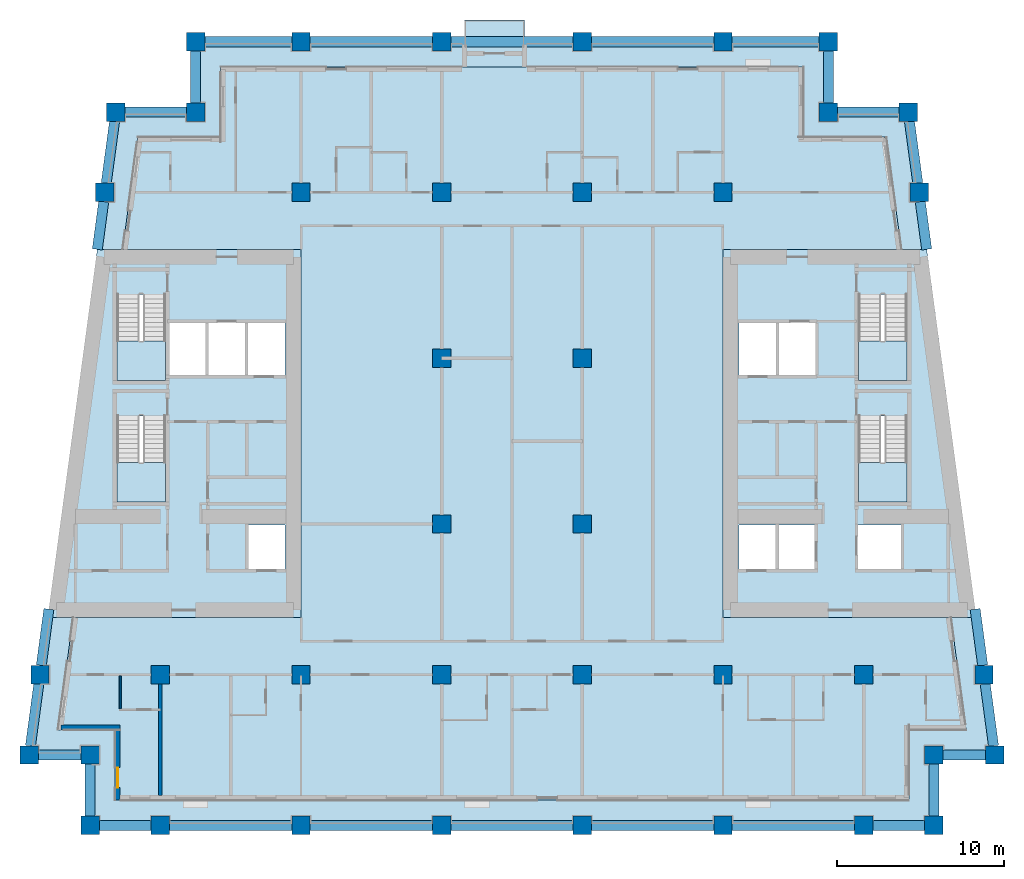
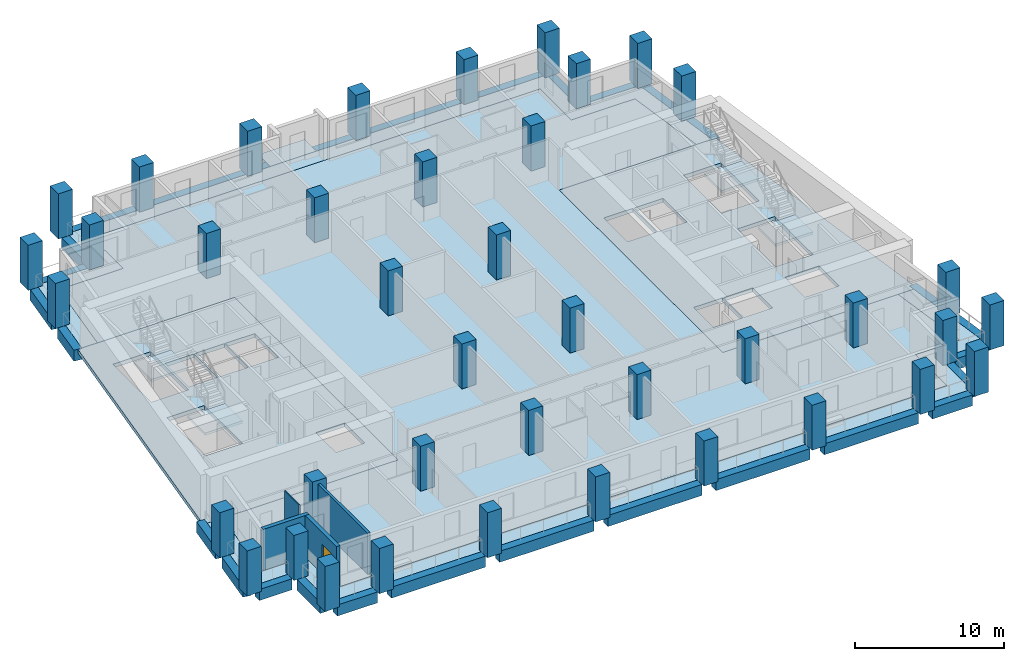
# One storey, part 1 of 12: 40 columns, 28 beams, 10 slabs, 4 walls, 1 door, 1 opening, 4 elements without a shape of their own.
"""IFC4 building model written with IfcOpenShell, lengths in metres."""

from ifc_helpers import new_model, si_unit, direction, frame, frame_2d, origin, origin_2d, place, context, subcontext, project, spatial, polyline, rectangle, outline, extrude, material, layer, layer_set, material_profile, profile_set, type_object, element, fill, aggregate, save


model = new_model("IFC4")

# Units and contexts
model_context = context("Model", 3, precision=1e-05, world=origin(), true_north=direction((0.0, 1.0)))
body_context = subcontext(model_context, "Body", "Model", "MODEL_VIEW")
ifc_project = project(units=[si_unit("LENGTHUNIT", "METRE"), si_unit("AREAUNIT", "SQUARE_METRE"), si_unit("VOLUMEUNIT", "CUBIC_METRE"), si_unit("PLANEANGLEUNIT", "RADIAN"), si_unit("MASSUNIT", "GRAM", prefix="KILO")], contexts=[model_context])

# Site, building, storey
site_placement = place(None, origin())
site = spatial("IfcSite", under=ifc_project, at=site_placement, CompositionType="ELEMENT")
building_placement = place(site_placement, origin())
building = spatial("IfcBuilding", under=site, at=building_placement, Name="Candeia Pilgrim Tower and Theatre", CompositionType="ELEMENT")
storey_placement = place(building_placement, frame((0.0, 0.0, 162.60009765625)))
storey = spatial("IfcBuildingStorey", under=building, at=storey_placement, Name="L38", CompositionType="ELEMENT", Elevation=162.60009765625)

# Columns
ifc_material_1 = material(Name="Concrete C60/75", Category="concrete")
ifc_material_profile_1 = material_profile(ifc_material_1, rectangle(XDim=1.10009765625, YDim=1.10009765625, at=origin_2d()))
ifc_profile_set_1 = profile_set([ifc_material_profile_1], Name="Concrete C60/75")
column_type = type_object("IfcColumnType", Name="RC 1100x1100 C60/75", PredefinedType="COLUMN", material=ifc_profile_set_1)
for number, where, z_axis, x_axis, name in (
    (1, (92.39990234375, 98.0, 0.0), (0.0, 0.0, 1.0), (1.0, 0.0, 0.0), "Column A1"),
    (2, (100.800048828125, 98.0, 0.0), (0.0, 0.0, 1.0), (1.0, 0.0, 0.0), "Column A2"),
    (3, (109.199951171875, 98.0, 0.0), (0.0, 0.0, 1.0), (1.0, 0.0, 0.0), "Column A3"),
    (4, (117.60009765625, 98.0, 0.0), (0.0, 0.0, 1.0), (1.0, 0.0, 0.0), "Column A4"),
    (5, (126.0, 98.0, 0.0), (0.0, 0.0, 1.0), (1.0, 0.0, 0.0), "Column A5"),
    (6, (134.39990234375, 98.0, 0.0), (0.0, 0.0, 1.0), (1.0, 0.0, 0.0), "Column A6"),
    (7, (88.199951171875, 98.0, 0.0), (0.0, 0.0, 1.0), (1.0, 0.0, 0.0), "Column AW"),
    (8, (138.60009765625, 98.0, 0.0), (0.0, 0.0, 1.0), (1.0, 0.0, 0.0), "Column AE"),
    (9, (88.199951171875, 102.199951171875, 0.0), (0.0, 0.0, 1.0), (1.0, 0.0, 0.0), "Column NSW"),
    (10, (138.60009765625, 102.199951171875, 0.0), (0.0, 0.0, 1.0), (1.0, 0.0, 0.0), "Column NSE"),
    (11, (94.5, 140.60009765625, 0.0), (0.0, 0.0, 1.0), (1.0, 0.0, 0.0), "Column NNW"),
    (12, (132.300048828125, 140.60009765625, 0.0), (0.0, 0.0, 1.0), (1.0, 0.0, 0.0), "Column NNE"),
    (13, (84.5654296875, 102.199951171875, 0.0), (0.0, 0.0, 1.0), (1.0, 0.0, 0.0), "Column LSW"),
    (14, (142.234619140625, 102.199951171875, 0.0), (0.0, 0.0, 1.0), (1.0, 0.0, 0.0), "Column LSE"),
    (15, (89.734619140625, 140.60009765625, 0.0), (0.0, 0.0, 1.0), (1.0, 0.0, 0.0), "Column LNW"),
    (16, (137.0654296875, 140.60009765625, 0.0), (0.0, 0.0, 1.0), (1.0, 0.0, 0.0), "Column LNE"),
    (17, (92.39990234375, 107.0, 0.0), (0.0, 0.0, 1.0), (1.0, 0.0, 0.0), "Column B1"),
    (18, (100.800048828125, 107.0, 0.0), (0.0, 0.0, 1.0), (1.0, 0.0, 0.0), "Column B2"),
    (19, (109.199951171875, 107.0, 0.0), (0.0, 0.0, 1.0), (1.0, 0.0, 0.0), "Column B3"),
    (20, (117.60009765625, 107.0, 0.0), (0.0, 0.0, 1.0), (1.0, 0.0, 0.0), "Column B4"),
    (21, (126.0, 107.0, 0.0), (0.0, 0.0, 1.0), (1.0, 0.0, 0.0), "Column B5"),
    (22, (134.39990234375, 107.0, 0.0), (0.0, 0.0, 1.0), (1.0, 0.0, 0.0), "Column B6"),
    (23, (85.21142578125, 107.0, 0.0), (0.0, 0.0, 1.0), (1.0, 0.0, 0.0), "Column BW"),
    (24, (141.58837890625, 107.0, 0.0), (0.0, 0.0, 1.0), (1.0, 0.0, 0.0), "Column BE"),
    (25, (109.199951171875, 116.0, 0.0), (0.0, 0.0, 1.0), (1.0, 0.0, 0.0), "Column C3"),
    (26, (117.60009765625, 116.0, 0.0), (0.0, 0.0, 1.0), (1.0, 0.0, 0.0), "Column C4"),
    (27, (109.199951171875, 125.89990234375, 0.0), (0.0, 0.0, 1.0), (1.0, 0.0, 0.0), "Column D3"),
    (28, (117.60009765625, 125.89990234375, 0.0), (0.0, 0.0, 1.0), (1.0, 0.0, 0.0), "Column D4"),
    (29, (100.800048828125, 135.800048828125, 0.0), (0.0, 0.0, 1.0), (1.0, 0.0, 0.0), "Column E2"),
    (30, (109.199951171875, 135.800048828125, 0.0), (0.0, 0.0, 1.0), (1.0, 0.0, 0.0), "Column E3"),
    (31, (117.60009765625, 135.800048828125, 0.0), (0.0, 0.0, 1.0), (1.0, 0.0, 0.0), "Column E4"),
    (32, (126.0, 135.800048828125, 0.0), (0.0, 0.0, 1.0), (1.0, 0.0, 0.0), "Column E5"),
    (33, (89.08837890625, 135.800048828125, 0.0), (0.0, 0.0, 1.0), (1.0, 0.0, 0.0), "Column EW"),
    (34, (137.71142578125, 135.800048828125, 0.0), (0.0, 0.0, 1.0), (1.0, 0.0, 0.0), "Column EE"),
    (35, (100.800048828125, 144.800048828125, 0.0), (0.0, 0.0, 1.0), (1.0, 0.0, 0.0), "Column F2"),
    (36, (109.199951171875, 144.800048828125, 0.0), (0.0, 0.0, 1.0), (1.0, 0.0, 0.0), "Column F3"),
    (37, (117.60009765625, 144.800048828125, 0.0), (0.0, 0.0, 1.0), (1.0, 0.0, 0.0), "Column F4"),
    (38, (126.0, 144.800048828125, 0.0), (0.0, 0.0, 1.0), (1.0, 0.0, 0.0), "Column F5"),
    (39, (94.5, 144.800048828125, 0.0), (0.0, 0.0, 1.0), (1.0, 0.0, 0.0), "Column FW"),
    (40, (132.300048828125, 144.800048828125, 0.0), (0.0, 0.0, 1.0), (1.0, 0.0, 0.0), "Column FE"),
):
    element("IfcColumn", number, at=place(storey_placement, frame(where, z_axis=z_axis, x_axis=x_axis)), inside=storey, type_object=column_type, Name=name, PredefinedType="COLUMN", context=body_context, shape_type="SweptSolid", body=[
        extrude(rectangle(XDim=1.10009765625, YDim=1.10009765625, at=origin_2d()), origin(), (0.0, 0.0, 1.0), 3.699951171875),
    ])

# Beams
ifc_material_profile_2 = material_profile(ifc_material_1, rectangle(XDim=0.60009765625, YDim=0.89990234375, at=origin_2d()))
ifc_profile_set_2 = profile_set([ifc_material_profile_2], Name="Concrete C60/75")
beam_type = type_object("IfcBeamType", Name="RC 600x900 C60/75", PredefinedType="BEAM", material=ifc_profile_set_2)
beam_1_placement = place(storey_placement, frame((88.75, 98.0, -0.4501953125), z_axis=(1.0, 0.0, 0.0), x_axis=(0.0, 1.0, 0.0)))
element("IfcBeam", 41, at=beam_1_placement, inside=storey, type_object=beam_type, Name="Spandrel beam L38-01", PredefinedType="BEAM", context=body_context, shape_type="SweptSolid", body=[
    extrude(rectangle(XDim=0.60009765625, YDim=0.89990234375, at=origin_2d()), origin(), (0.0, 0.0, 1.0), 3.10009765625),
])
beam_2_placement = place(storey_placement, frame((92.949951171875, 98.0, -0.4501953125), z_axis=(1.0, 0.0, 0.0), x_axis=(0.0, 1.0, 0.0)))
element("IfcBeam", 42, at=beam_2_placement, inside=storey, type_object=beam_type, Name="Spandrel beam L38-02", PredefinedType="BEAM", context=body_context, shape_type="SweptSolid", body=[
    extrude(rectangle(XDim=0.60009765625, YDim=0.89990234375, at=origin_2d()), origin(), (0.0, 0.0, 1.0), 7.300048828125),
])
beam_3_placement = place(storey_placement, frame((101.35009765625, 98.0, -0.4501953125), z_axis=(1.0, 0.0, 0.0), x_axis=(0.0, 1.0, 0.0)))
element("IfcBeam", 43, at=beam_3_placement, inside=storey, type_object=beam_type, Name="Spandrel beam L38-03", PredefinedType="BEAM", context=body_context, shape_type="SweptSolid", body=[
    extrude(rectangle(XDim=0.60009765625, YDim=0.89990234375, at=origin_2d()), origin(), (0.0, 0.0, 1.0), 7.2998046875),
])
for number, where, z_axis, x_axis, name in (
    (44, (109.75, 98.0, -0.4501953125), (1.0, 0.0, 0.0), (0.0, 1.0, 0.0), "Spandrel beam L38-04"),
    (45, (118.14990234375, 98.0, -0.4501953125), (1.0, 0.0, 0.0), (0.0, 1.0, 0.0), "Spandrel beam L38-05"),
    (46, (126.550048828125, 98.0, -0.4501953125), (1.0, 0.0, 0.0), (0.0, 1.0, 0.0), "Spandrel beam L38-06"),
):
    element("IfcBeam", number, at=place(storey_placement, frame(where, z_axis=z_axis, x_axis=x_axis)), inside=storey, type_object=beam_type, Name=name, PredefinedType="BEAM", context=body_context, shape_type="SweptSolid", body=[
        extrude(rectangle(XDim=0.60009765625, YDim=0.89990234375, at=origin_2d()), origin(), (0.0, 0.0, 1.0), 7.300048828125),
    ])
beam_4_placement = place(storey_placement, frame((134.949951171875, 98.0, -0.4501953125), z_axis=(1.0, 0.0, 0.0), x_axis=(0.0, 1.0, 0.0)))
element("IfcBeam", 47, at=beam_4_placement, inside=storey, type_object=beam_type, Name="Spandrel beam L38-07", PredefinedType="BEAM", context=body_context, shape_type="SweptSolid", body=[
    extrude(rectangle(XDim=0.60009765625, YDim=0.89990234375, at=origin_2d()), origin(), (0.0, 0.0, 1.0), 3.10009765625),
])
beam_5_placement = place(storey_placement, frame((138.60009765625, 98.550048828125, -0.4501953125), z_axis=(0.0, 1.0, 0.0), x_axis=(-1.0, 0.0, 0.0)))
element("IfcBeam", 48, at=beam_5_placement, inside=storey, type_object=beam_type, Name="Spandrel beam L38-08", PredefinedType="BEAM", context=body_context, shape_type="SweptSolid", body=[
    extrude(rectangle(XDim=0.60009765625, YDim=0.89990234375, at=origin_2d()), origin(), (0.0, 0.0, 1.0), 3.099853515625),
])
beam_6_placement = place(storey_placement, frame((139.14990234375, 102.199951171875, -0.4501953125), z_axis=(1.0, 0.0, 0.0), x_axis=(0.0, 1.0, 0.0)))
element("IfcBeam", 49, at=beam_6_placement, inside=storey, type_object=beam_type, Name="Spandrel beam L38-09", PredefinedType="BEAM", context=body_context, shape_type="SweptSolid", body=[
    extrude(rectangle(XDim=0.60009765625, YDim=0.89990234375, at=origin_2d()), origin(), (0.0, 0.0, 1.0), 2.53466796875),
])
beam_7_placement = place(storey_placement, frame((142.16064453125, 102.75, -0.4501953125), z_axis=(-0.133405836075, 0.991061492997, 0.0), x_axis=(-0.991061492997, -0.133405836075, 0.0)))
element("IfcBeam", 50, at=beam_7_placement, inside=storey, type_object=beam_type, Name="Spandrel beam L38-10", PredefinedType="BEAM", context=body_context, shape_type="SweptSolid", body=[
    extrude(rectangle(XDim=0.60009765625, YDim=0.89990234375, at=origin_2d()), origin(), (0.0, 0.0, 1.0), 3.7333984375),
])
beam_8_placement = place(storey_placement, frame((141.514404296875, 107.550048828125, -0.4501953125), z_axis=(-0.133432414187, 0.99105791498, 0.0), x_axis=(-0.99105791498, -0.133432414187, 0.0)))
element("IfcBeam", 51, at=beam_8_placement, inside=storey, type_object=beam_type, Name="Spandrel beam L38-11", PredefinedType="BEAM", context=body_context, shape_type="SweptSolid", body=[
    extrude(rectangle(XDim=0.60009765625, YDim=0.89990234375, at=origin_2d()), origin(), (0.0, 0.0, 1.0), 3.390380859375),
])
beam_9_placement = place(storey_placement, frame((138.169189453125, 132.39990234375, -0.4501953125), z_axis=(-0.133370319951, 0.99106627314, 0.0), x_axis=(-0.99106627314, -0.133370319951, 0.0)))
element("IfcBeam", 52, at=beam_9_placement, inside=storey, type_object=beam_type, Name="Spandrel beam L38-12", PredefinedType="BEAM", context=body_context, shape_type="SweptSolid", body=[
    extrude(rectangle(XDim=0.60009765625, YDim=0.89990234375, at=origin_2d()), origin(), (0.0, 0.0, 1.0), 2.875732421875),
])
beam_10_placement = place(storey_placement, frame((137.637451171875, 136.35009765625, -0.4501953125), z_axis=(-0.133405836075, 0.991061492997, 0.0), x_axis=(-0.991061492997, -0.133405836075, 0.0)))
element("IfcBeam", 53, at=beam_10_placement, inside=storey, type_object=beam_type, Name="Spandrel beam L38-13", PredefinedType="BEAM", context=body_context, shape_type="SweptSolid", body=[
    extrude(rectangle(XDim=0.60009765625, YDim=0.89990234375, at=origin_2d()), origin(), (0.0, 0.0, 1.0), 3.7333984375),
])
beam_11_placement = place(storey_placement, frame((136.515380859375, 140.60009765625, -0.4501953125), z_axis=(-1.0, 0.0, 0.0), x_axis=(0.0, -1.0, 0.0)))
element("IfcBeam", 54, at=beam_11_placement, inside=storey, type_object=beam_type, Name="Spandrel beam L38-14", PredefinedType="BEAM", context=body_context, shape_type="SweptSolid", body=[
    extrude(rectangle(XDim=0.60009765625, YDim=0.89990234375, at=origin_2d()), origin(), (0.0, 0.0, 1.0), 3.665283203125),
])
beam_12_placement = place(storey_placement, frame((132.300048828125, 141.14990234375, -0.4501953125), z_axis=(0.0, 1.0, 0.0), x_axis=(-1.0, 0.0, 0.0)))
element("IfcBeam", 55, at=beam_12_placement, inside=storey, type_object=beam_type, Name="Spandrel beam L38-15", PredefinedType="BEAM", context=body_context, shape_type="SweptSolid", body=[
    extrude(rectangle(XDim=0.60009765625, YDim=0.89990234375, at=origin_2d()), origin(), (0.0, 0.0, 1.0), 3.10009765625),
])
beam_13_placement = place(storey_placement, frame((131.75, 144.800048828125, -0.4501953125), z_axis=(-1.0, 0.0, 0.0), x_axis=(0.0, -1.0, 0.0)))
element("IfcBeam", 56, at=beam_13_placement, inside=storey, type_object=beam_type, Name="Spandrel beam L38-16", PredefinedType="BEAM", context=body_context, shape_type="SweptSolid", body=[
    extrude(rectangle(XDim=0.60009765625, YDim=0.89990234375, at=origin_2d()), origin(), (0.0, 0.0, 1.0), 5.199951171875),
])
for number, where, z_axis, x_axis, name in (
    (57, (125.449951171875, 144.800048828125, -0.4501953125), (-1.0, 0.0, 0.0), (0.0, -1.0, 0.0), "Spandrel beam L38-17"),
    (58, (117.050048828125, 144.800048828125, -0.4501953125), (-1.0, 0.0, 0.0), (0.0, -1.0, 0.0), "Spandrel beam L38-18"),
):
    element("IfcBeam", number, at=place(storey_placement, frame(where, z_axis=z_axis, x_axis=x_axis)), inside=storey, type_object=beam_type, Name=name, PredefinedType="BEAM", context=body_context, shape_type="SweptSolid", body=[
        extrude(rectangle(XDim=0.60009765625, YDim=0.89990234375, at=origin_2d()), origin(), (0.0, 0.0, 1.0), 7.300048828125),
    ])
beam_14_placement = place(storey_placement, frame((108.64990234375, 144.800048828125, -0.4501953125), z_axis=(-1.0, 0.0, 0.0), x_axis=(0.0, -1.0, 0.0)))
element("IfcBeam", 59, at=beam_14_placement, inside=storey, type_object=beam_type, Name="Spandrel beam L38-19", PredefinedType="BEAM", context=body_context, shape_type="SweptSolid", body=[
    extrude(rectangle(XDim=0.60009765625, YDim=0.89990234375, at=origin_2d()), origin(), (0.0, 0.0, 1.0), 7.2998046875),
])
beam_15_placement = place(storey_placement, frame((100.25, 144.800048828125, -0.4501953125), z_axis=(-1.0, 0.0, 0.0), x_axis=(0.0, -1.0, 0.0)))
element("IfcBeam", 60, at=beam_15_placement, inside=storey, type_object=beam_type, Name="Spandrel beam L38-20", PredefinedType="BEAM", context=body_context, shape_type="SweptSolid", body=[
    extrude(rectangle(XDim=0.60009765625, YDim=0.89990234375, at=origin_2d()), origin(), (0.0, 0.0, 1.0), 5.199951171875),
])
beam_16_placement = place(storey_placement, frame((94.5, 144.25, -0.4501953125), z_axis=(0.0, -1.0, 0.0), x_axis=(1.0, 0.0, 0.0)))
element("IfcBeam", 61, at=beam_16_placement, inside=storey, type_object=beam_type, Name="Spandrel beam L38-21", PredefinedType="BEAM", context=body_context, shape_type="SweptSolid", body=[
    extrude(rectangle(XDim=0.60009765625, YDim=0.89990234375, at=origin_2d()), origin(), (0.0, 0.0, 1.0), 3.10009765625),
])
beam_17_placement = place(storey_placement, frame((93.949951171875, 140.60009765625, -0.4501953125), z_axis=(-1.0, 0.0, 0.0), x_axis=(0.0, -1.0, 0.0)))
element("IfcBeam", 62, at=beam_17_placement, inside=storey, type_object=beam_type, Name="Spandrel beam L38-22", PredefinedType="BEAM", context=body_context, shape_type="SweptSolid", body=[
    extrude(rectangle(XDim=0.60009765625, YDim=0.89990234375, at=origin_2d()), origin(), (0.0, 0.0, 1.0), 3.665283203125),
])
beam_18_placement = place(storey_placement, frame((89.66064453125, 140.050048828125, -0.4501953125), z_axis=(-0.133405836075, -0.991061492997, 0.0), x_axis=(0.991061492997, -0.133405836075, 0.0)))
element("IfcBeam", 63, at=beam_18_placement, inside=storey, type_object=beam_type, Name="Spandrel beam L38-23", PredefinedType="BEAM", context=body_context, shape_type="SweptSolid", body=[
    extrude(rectangle(XDim=0.60009765625, YDim=0.89990234375, at=origin_2d()), origin(), (0.0, 0.0, 1.0), 3.7333984375),
])
beam_19_placement = place(storey_placement, frame((89.014404296875, 135.25, -0.4501953125), z_axis=(-0.133370319951, -0.99106627314, 0.0), x_axis=(0.99106627314, -0.133370319951, 0.0)))
element("IfcBeam", 64, at=beam_19_placement, inside=storey, type_object=beam_type, Name="Spandrel beam L38-24", PredefinedType="BEAM", context=body_context, shape_type="SweptSolid", body=[
    extrude(rectangle(XDim=0.60009765625, YDim=0.89990234375, at=origin_2d()), origin(), (0.0, 0.0, 1.0), 2.875732421875),
])
beam_20_placement = place(storey_placement, frame((85.73779296875, 110.91015625, -0.4501953125), z_axis=(-0.133361686371, -0.991067434945, 0.0), x_axis=(0.991067434945, -0.133361686371, 0.0)))
element("IfcBeam", 65, at=beam_20_placement, inside=storey, type_object=beam_type, Name="Spandrel beam L38-25", PredefinedType="BEAM", context=body_context, shape_type="SweptSolid", body=[
    extrude(rectangle(XDim=0.60009765625, YDim=0.89990234375, at=origin_2d()), origin(), (0.0, 0.0, 1.0), 3.390380859375),
])
beam_21_placement = place(storey_placement, frame((85.137451171875, 106.449951171875, -0.4501953125), z_axis=(-0.133405836075, -0.991061492997, 0.0), x_axis=(0.991061492997, -0.133405836075, 0.0)))
element("IfcBeam", 66, at=beam_21_placement, inside=storey, type_object=beam_type, Name="Spandrel beam L38-26", PredefinedType="BEAM", context=body_context, shape_type="SweptSolid", body=[
    extrude(rectangle(XDim=0.60009765625, YDim=0.89990234375, at=origin_2d()), origin(), (0.0, 0.0, 1.0), 3.7333984375),
])
beam_22_placement = place(storey_placement, frame((85.115478515625, 102.199951171875, -0.4501953125), z_axis=(1.0, 0.0, 0.0), x_axis=(0.0, 1.0, 0.0)))
element("IfcBeam", 67, at=beam_22_placement, inside=storey, type_object=beam_type, Name="Spandrel beam L38-27", PredefinedType="BEAM", context=body_context, shape_type="SweptSolid", body=[
    extrude(rectangle(XDim=0.60009765625, YDim=0.89990234375, at=origin_2d()), origin(), (0.0, 0.0, 1.0), 2.534423828125),
])
beam_23_placement = place(storey_placement, frame((88.199951171875, 101.64990234375, -0.4501953125), z_axis=(0.0, -1.0, 0.0), x_axis=(1.0, 0.0, 0.0)))
element("IfcBeam", 68, at=beam_23_placement, inside=storey, type_object=beam_type, Name="Spandrel beam L38-28", PredefinedType="BEAM", context=body_context, shape_type="SweptSolid", body=[
    extrude(rectangle(XDim=0.60009765625, YDim=0.89990234375, at=origin_2d()), origin(), (0.0, 0.0, 1.0), 3.099853515625),
])

# Slabs
ifc_material_2 = material(Name="Concrete C40/50", Category="concrete")
ifc_layer_1 = layer(ifc_material_2, 0.25)
ifc_layer_set_1 = layer_set([ifc_layer_1], Name="BK1 balcony slab 250")
slab_type_1 = type_object("IfcSlabType", Name="BK1 balcony slab 250", PredefinedType="USERDEFINED", material=ifc_layer_set_1)
slab_1_placement = place(storey_placement, frame((0.0, 0.0, -0.25)))
element("IfcSlab", 69, at=slab_1_placement, inside=storey, type_object=slab_type_1, Name="Balcony L38", ObjectType="BALCONY", PredefinedType="USERDEFINED", context=body_context, shape_type="SweptSolid", body=[
    extrude(outline(polyline([(110.550048828125, 144.5), (114.14990234375, 144.5), (114.14990234375, 146.10009765625), (110.550048828125, 146.10009765625), (110.550048828125, 144.5)])), origin(), (0.0, 0.0, 1.0), 0.25),
])
ifc_layer_2 = layer(ifc_material_1, 0.320068359375)
ifc_layer_set_2 = layer_set([ifc_layer_2], Name="FS-CORE 320 core floor")
slab_type_2 = type_object("IfcSlabType", Name="FS-CORE 320 core floor", PredefinedType="FLOOR", material=ifc_layer_set_2)
slab_2_placement = place(storey_placement, frame((0.0, 0.0, -0.320068359375)))
element("IfcSlab", 70, at=slab_2_placement, inside=storey, type_object=slab_type_2, Name="Core floor W L38", PredefinedType="FLOOR", context=body_context, shape_type="SweptSolid", body=[
    extrude(outline(polyline([(100.800048828125, 132.39990234375), (100.800048828125, 110.39990234375), (85.669189453125, 110.39990234375), (88.630859375, 132.39990234375), (100.800048828125, 132.39990234375)]), holes=[polyline([(97.59228515625, 128.050048828125), (97.59228515625, 124.85009765625), (99.85009765625, 124.85009765625), (99.85009765625, 128.050048828125), (97.59228515625, 128.050048828125)]), polyline([(97.613525390625, 113.25), (99.85009765625, 113.25), (99.85009765625, 115.949951171875), (97.613525390625, 115.949951171875), (97.613525390625, 113.25)]), polyline([(95.234619140625, 124.85009765625), (97.4921875, 124.85009765625), (97.4921875, 128.050048828125), (95.234619140625, 128.050048828125), (95.234619140625, 124.85009765625)]), polyline([(92.876953125, 128.050048828125), (92.876953125, 124.85009765625), (95.134765625, 124.85009765625), (95.134765625, 128.050048828125), (92.876953125, 128.050048828125)]), polyline([(89.802001953125, 122.455078125), (89.802001953125, 117.324951171875), (92.701904296875, 117.324951171875), (92.701904296875, 122.455078125), (89.802001953125, 122.455078125)]), polyline([(89.802001953125, 129.705078125), (89.802001953125, 124.574951171875), (92.701904296875, 124.574951171875), (92.701904296875, 129.705078125), (89.802001953125, 129.705078125)])]), origin(), (0.0, 0.0, 1.0), 0.320068359375),
])
slab_3_placement = place(storey_placement, frame((0.0, 0.0, -0.320068359375)))
element("IfcSlab", 71, at=slab_3_placement, inside=storey, type_object=slab_type_2, Name="Core floor E L38", PredefinedType="FLOOR", context=body_context, shape_type="SweptSolid", body=[
    extrude(outline(polyline([(138.169189453125, 132.39990234375), (141.130859375, 110.39990234375), (126.0, 110.39990234375), (126.0, 132.39990234375), (138.169189453125, 132.39990234375)]), holes=[polyline([(134.097900390625, 122.455078125), (134.097900390625, 117.324951171875), (136.998046875, 117.324951171875), (136.998046875, 122.455078125), (134.097900390625, 122.455078125)]), polyline([(134.097900390625, 129.705078125), (134.097900390625, 124.574951171875), (136.998046875, 124.574951171875), (136.998046875, 129.705078125), (134.097900390625, 129.705078125)]), polyline([(136.672607421875, 115.949951171875), (134.02294921875, 115.949951171875), (134.02294921875, 113.25), (136.672607421875, 113.25), (136.672607421875, 115.949951171875)]), polyline([(131.565185546875, 128.050048828125), (129.3076171875, 128.050048828125), (129.3076171875, 124.85009765625), (131.565185546875, 124.85009765625), (131.565185546875, 128.050048828125)]), polyline([(131.52294921875, 115.949951171875), (129.28662109375, 115.949951171875), (129.28662109375, 113.25), (131.52294921875, 113.25), (131.52294921875, 115.949951171875)]), polyline([(129.207763671875, 128.050048828125), (126.949951171875, 128.050048828125), (126.949951171875, 124.85009765625), (129.207763671875, 124.85009765625), (129.207763671875, 128.050048828125)]), polyline([(126.949951171875, 115.949951171875), (126.949951171875, 113.25), (129.1865234375, 113.25), (129.1865234375, 115.949951171875), (126.949951171875, 115.949951171875)])]), origin(), (0.0, 0.0, 1.0), 0.320068359375),
])
ifc_material_3 = material(Name="Concrete C50/60", Category="concrete")
ifc_layer_3 = layer(ifc_material_3, 0.320068359375)
ifc_layer_set_3 = layer_set([ifc_layer_3], Name="Floor slab 320 C50/60")
slab_type_3 = type_object("IfcSlabType", Name="Floor slab 320 C50/60", PredefinedType="FLOOR", material=ifc_layer_set_3)
slab_4_placement = place(storey_placement, frame((0.0, 0.0, -0.320068359375)))
element("IfcSlab", 72, at=slab_4_placement, inside=storey, type_object=slab_type_3, Name="Floor slab L38", PredefinedType="FLOOR", context=body_context, shape_type="SweptSolid", body=[
    extrude(outline(polyline([(96.0, 139.10009765625), (96.0, 143.300048828125), (130.800048828125, 143.300048828125), (130.800048828125, 139.10009765625), (135.753662109375, 139.10009765625), (136.65576171875, 132.39990234375), (126.0, 132.39990234375), (126.0, 110.39990234375), (139.6171875, 110.39990234375), (140.51904296875, 103.699951171875), (137.10009765625, 103.699951171875), (137.10009765625, 99.5), (89.699951171875, 99.5), (89.699951171875, 103.699951171875), (86.28076171875, 103.699951171875), (87.182861328125, 110.39990234375), (100.800048828125, 110.39990234375), (100.800048828125, 132.39990234375), (90.144287109375, 132.39990234375), (91.046142578125, 139.10009765625), (96.0, 139.10009765625)])), origin(), (0.0, 0.0, 1.0), 0.320068359375),
])
ifc_layer_4 = layer(ifc_material_2, 0.25)
ifc_layer_set_4 = layer_set([ifc_layer_4], Name="Loggia slab 250 C40/50")
slab_type_4 = type_object("IfcSlabType", Name="Loggia slab 250 C40/50", PredefinedType="FLOOR", material=ifc_layer_set_4)
slab_5_placement = place(storey_placement, frame((0.0, 0.0, -0.25)))
element("IfcSlab", 73, at=slab_5_placement, inside=storey, type_object=slab_type_4, Name="Loggia slab L38 1", PredefinedType="FLOOR", context=body_context, shape_type="SweptSolid", body=[
    extrude(outline(polyline([(87.182861328125, 110.39990234375), (86.28076171875, 103.699951171875), (89.699951171875, 103.699951171875), (89.699951171875, 99.5), (137.10009765625, 99.5), (137.10009765625, 103.699951171875), (140.51904296875, 103.699951171875), (139.6171875, 110.39990234375), (140.828125, 110.39990234375), (141.8916015625, 102.5), (138.300048828125, 102.5), (138.300048828125, 98.300048828125), (88.5, 98.300048828125), (88.5, 102.5), (84.908447265625, 102.5), (85.971923828125, 110.39990234375), (87.182861328125, 110.39990234375)])), origin(), (0.0, 0.0, 1.0), 0.25),
])
slab_6_placement = place(storey_placement, frame((0.0, 0.0, -0.25)))
element("IfcSlab", 74, at=slab_6_placement, inside=storey, type_object=slab_type_4, Name="Loggia slab L38 2", PredefinedType="FLOOR", context=body_context, shape_type="SweptSolid", body=[
    extrude(outline(polyline([(136.65576171875, 132.39990234375), (135.753662109375, 139.10009765625), (130.800048828125, 139.10009765625), (130.800048828125, 143.300048828125), (96.0, 143.300048828125), (96.0, 139.10009765625), (91.046142578125, 139.10009765625), (90.144287109375, 132.39990234375), (88.93359375, 132.39990234375), (89.996826171875, 140.300048828125), (94.800048828125, 140.300048828125), (94.800048828125, 144.5), (132.0, 144.5), (132.0, 140.300048828125), (136.802978515625, 140.300048828125), (137.866455078125, 132.39990234375), (136.65576171875, 132.39990234375)])), origin(), (0.0, 0.0, 1.0), 0.25),
])

# Stair, slab
stair_type = type_object("IfcStairType", Name="ST-TWR dog-leg escape stair", PredefinedType="HALF_TURN_STAIR", material=ifc_material_2)
stair_1_placement = place(storey_placement, origin())
stair_1 = element("IfcStair", 75, at=stair_1_placement, inside=storey, type_object=stair_type, Name="L38 Escape stair ST1", PredefinedType="HALF_TURN_STAIR")
ifc_layer_5 = layer(ifc_material_2, 0.199951171875)
ifc_layer_set_5 = layer_set([ifc_layer_5], Name="SL-LANDING stair landing")
slab_type_5 = type_object("IfcSlabType", Name="SL-LANDING stair landing", PredefinedType="LANDING", material=ifc_layer_set_5)
slab_7_placement = place(storey_placement, frame((0.0, 0.0, 1.64990234375)))
slab_7 = element("IfcSlab", 76, at=slab_7_placement, type_object=slab_type_5, Name="ST1 landing 1", PredefinedType="LANDING", context=body_context, shape_type="SweptSolid", body=[
    extrude(outline(polyline([(89.802001953125, 119.675048828125), (89.802001953125, 117.324951171875), (92.701904296875, 117.324951171875), (92.701904296875, 119.675048828125), (89.802001953125, 119.675048828125)])), origin(), (0.0, 0.0, 1.0), 0.199951171875),
])
aggregate(stair_1, [slab_7])

stair_2_placement = place(storey_placement, origin())
stair_2 = element("IfcStair", 77, at=stair_2_placement, inside=storey, type_object=stair_type, Name="L38 Escape stair ST2", PredefinedType="HALF_TURN_STAIR")
slab_8_placement = place(storey_placement, frame((0.0, 0.0, 1.64990234375)))
slab_8 = element("IfcSlab", 78, at=slab_8_placement, type_object=slab_type_5, Name="ST2 landing 1", PredefinedType="LANDING", context=body_context, shape_type="SweptSolid", body=[
    extrude(outline(polyline([(89.802001953125, 126.925048828125), (89.802001953125, 124.574951171875), (92.701904296875, 124.574951171875), (92.701904296875, 126.925048828125), (89.802001953125, 126.925048828125)])), origin(), (0.0, 0.0, 1.0), 0.199951171875),
])
aggregate(stair_2, [slab_8])

stair_3_placement = place(storey_placement, origin())
stair_3 = element("IfcStair", 79, at=stair_3_placement, inside=storey, type_object=stair_type, Name="L38 Escape stair ST3", PredefinedType="HALF_TURN_STAIR")
slab_9_placement = place(storey_placement, frame((0.0, 0.0, 1.64990234375)))
slab_9 = element("IfcSlab", 80, at=slab_9_placement, type_object=slab_type_5, Name="ST3 landing 1", PredefinedType="LANDING", context=body_context, shape_type="SweptSolid", body=[
    extrude(outline(polyline([(134.097900390625, 119.675048828125), (134.097900390625, 117.324951171875), (136.998046875, 117.324951171875), (136.998046875, 119.675048828125), (134.097900390625, 119.675048828125)])), origin(), (0.0, 0.0, 1.0), 0.199951171875),
])
aggregate(stair_3, [slab_9])

stair_4_placement = place(storey_placement, origin())
stair_4 = element("IfcStair", 81, at=stair_4_placement, inside=storey, type_object=stair_type, Name="L38 Escape stair ST4", PredefinedType="HALF_TURN_STAIR")
slab_10_placement = place(storey_placement, frame((0.0, 0.0, 1.64990234375)))
slab_10 = element("IfcSlab", 82, at=slab_10_placement, type_object=slab_type_5, Name="ST4 landing 1", PredefinedType="LANDING", context=body_context, shape_type="SweptSolid", body=[
    extrude(outline(polyline([(134.097900390625, 126.925048828125), (134.097900390625, 124.574951171875), (136.998046875, 124.574951171875), (136.998046875, 126.925048828125), (134.097900390625, 126.925048828125)])), origin(), (0.0, 0.0, 1.0), 0.199951171875),
])
aggregate(stair_4, [slab_10])

# Wall
ifc_material_4 = material(Name="Ceramic block masonry", Category="masonry")
ifc_layer_6 = layer(ifc_material_4, 0.300048828125)
ifc_layer_set_6 = layer_set([ifc_layer_6], Name="EW1 glazing-line wall 300")
wall_type_1 = type_object("IfcWallType", Name="EW1 glazing-line wall 300", PredefinedType="SOLIDWALL", material=ifc_layer_set_6)
wall_1_placement = place(storey_placement, frame((86.452392578125, 103.85009765625, 0.0), z_axis=(0.0, 0.0, 1.0), x_axis=(1.0, 0.0, 0.0)))
element("IfcWall", 83, at=wall_1_placement, inside=storey, type_object=wall_type_1, Name="External wall L38-10.0", PredefinedType="SOLIDWALL", context=body_context, shape_type="SweptSolid", body=[
    extrude(rectangle(XDim=3.547607421875, YDim=0.300048828125, at=frame_2d((1.77392578125, 0.0))), origin(), (0.0, 0.0, 1.0), 3.3798828125),
])

# Wall, opening, door
wall_2_placement = place(storey_placement, frame((89.85009765625, 103.85009765625, 0.0), z_axis=(0.0, 0.0, 1.0), x_axis=(0.0, -1.0, 0.0)))
wall_2 = element("IfcWall", 84, at=wall_2_placement, inside=storey, type_object=wall_type_1, Name="External wall L38-11.0", PredefinedType="SOLIDWALL", context=body_context, shape_type="SweptSolid", body=[
    extrude(rectangle(XDim=4.35009765625, YDim=0.300048828125, at=frame_2d((2.175048828125, 0.0))), origin(), (0.0, 0.0, 1.0), 3.3798828125),
])
opening_placement = place(wall_2_placement, frame((2.39990234375, 0.0, 0.0)))
opening = element("IfcOpeningElement", 85, at=opening_placement, cuts=wall_2, Name="Opening L38-ED372", PredefinedType="OPENING", context=body_context, shape_type="SweptSolid", body=[
    extrude(rectangle(XDim=1.199951171875, YDim=2.39990234375, at=frame_2d((0.60009765625, 1.199951171875))), frame((0.0, 0.16015625, 0.0), z_axis=(0.0, -1.0, 0.0), x_axis=(1.0, 0.0, 0.0)), (0.0, 0.0, 1.0), 0.320068359375),
])
ifc_material_5 = material(Name="Aluminium framed glazed door", Category="aluminium")
door_type = type_object("IfcDoorType", Name="Loggia door 1200x2400", OperationType="DOUBLE_DOOR_SINGLE_SWING", PredefinedType="DOOR", material=ifc_material_5)
door_placement = place(opening_placement, origin())
door = element("IfcDoor", 86, at=door_placement, inside=storey, type_object=door_type, Name="Loggia door L38-ED372", OperationType="DOUBLE_DOOR_SINGLE_SWING", OverallHeight=2.39990234375, OverallWidth=1.199951171875, PredefinedType="DOOR", context=body_context, shape_type="SweptSolid", body=[
    extrude(rectangle(XDim=1.199951171875, YDim=2.39990234375, at=frame_2d((0.60009765625, 1.199951171875))), frame((0.0, 0.02490234375, 0.0), z_axis=(0.0, -1.0, 0.0), x_axis=(1.0, 0.0, 0.0)), (0.0, 0.0, 1.0), 0.050048828125),
])
fill(opening, door)

# Walls
ifc_material_6 = material(Name="Gypsum board partition on steel studs", Category="steel")
ifc_layer_7 = layer(ifc_material_6, 0.10009765625)
ifc_layer_set_7 = layer_set([ifc_layer_7], Name="PW-100 room partition")
wall_type_2 = type_object("IfcWallType", Name="PW-100 room partition", PredefinedType="PARTITIONING", material=ifc_layer_set_7)
wall_3_placement = place(storey_placement, frame((90.0, 104.949951171875, 0.0), z_axis=(0.0, 0.0, 1.0), x_axis=(0.0, 1.0, 0.0)))
element("IfcWall", 87, at=wall_3_placement, inside=storey, type_object=wall_type_2, Name="Room partition L38-052", PredefinedType="PARTITIONING", context=body_context, shape_type="SweptSolid", body=[
    extrude(rectangle(XDim=1.97509765625, YDim=0.10009765625, at=frame_2d((0.987548828125, 0.0))), origin(), (0.0, 0.0, 1.0), 3.3798828125),
])
ifc_layer_8 = layer(ifc_material_6, 0.199951171875)
ifc_layer_set_8 = layer_set([ifc_layer_8], Name="PW-200 party wall")
wall_type_3 = type_object("IfcWallType", Name="PW-200 party wall", PredefinedType="PARTITIONING", material=ifc_layer_set_8)
wall_4_placement = place(storey_placement, frame((92.39990234375, 99.7900390625, 0.0), z_axis=(0.0, 0.0, 1.0), x_axis=(0.0, 1.0, 0.0)))
element("IfcWall", 88, at=wall_4_placement, inside=storey, type_object=wall_type_3, Name="Party wall L38-054", PredefinedType="PARTITIONING", context=body_context, shape_type="SweptSolid", body=[
    extrude(rectangle(XDim=7.135009765625, YDim=0.199951171875, at=frame_2d((3.5673828125, 0.0))), origin(), (0.0, 0.0, 1.0), 3.3798828125),
])

save(model, "model.ifc")
